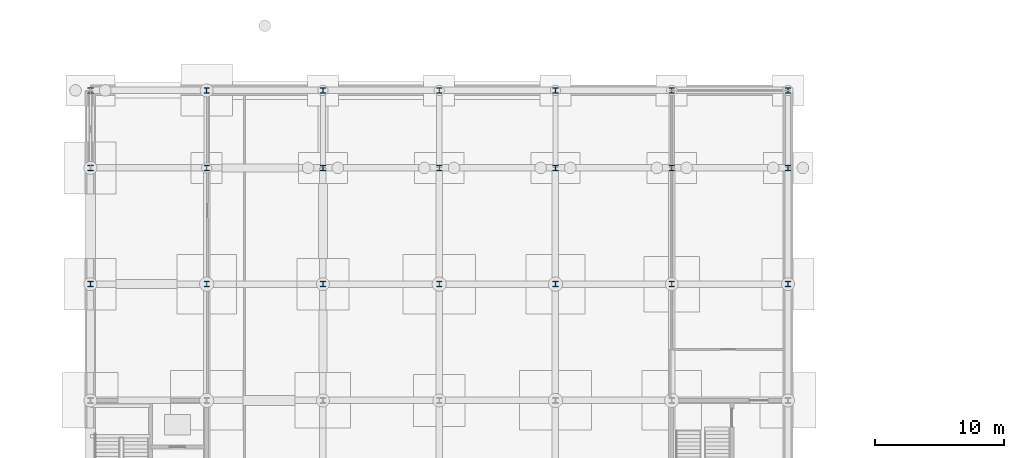
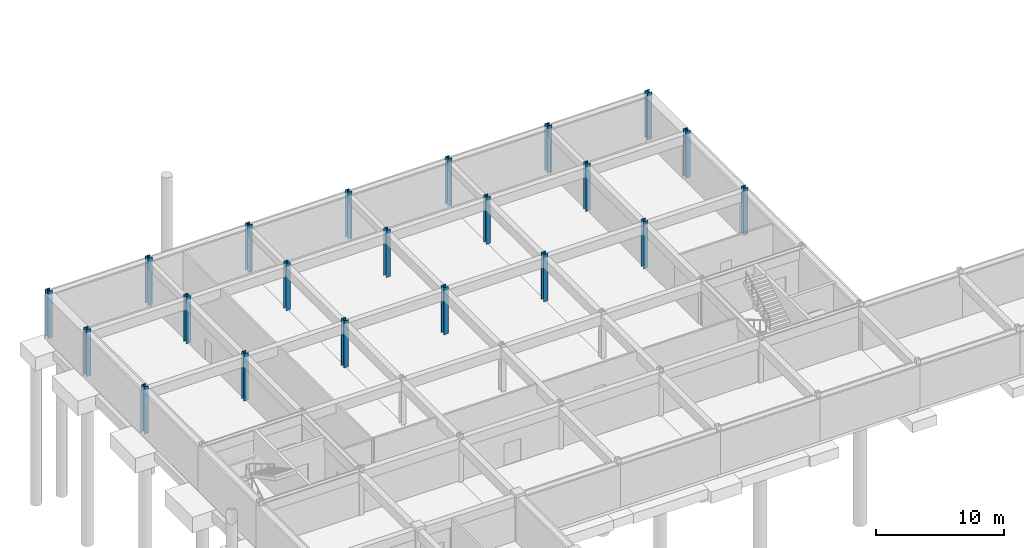
# One storey, part 11 of 41: 21 columns.
"""IFC4 building model written with IfcOpenShell, lengths in metres."""

import ifcopenshell
import ifcopenshell.guid

model = None  # the IFC model being written
_history = None  # IfcOwnerHistory: only IFC2X3 demands one
_inside = {}  # id of a spatial element -> (the spatial element, [elements in it])
_under = {}  # id of a project, library or spatial element -> (it, [spatial elements below it])
_declared = {}  # id of a project -> (the project, [libraries it declares])
_typed = {}  # id of a type object -> (the type object, [elements of that type])
_made_of = {}  # id of a material, layer set ... -> (it, [elements and type objects made of it])


def new_model(schema):
    """Start an empty IFC model of exactly this schema.

    Asked for "IFC4X3", IfcOpenShell would pick the latest addendum, in which some entities
    have other attributes; the version numbers below select the first issue.
    IFC2X3 requires an IfcOwnerHistory on every rooted entity: one is made here for all.
    """
    global model, _history
    if schema == "IFC4X3":
        model = ifcopenshell.file(schema_version=(4, 3, 0, 0))
    else:
        model = ifcopenshell.file(schema=schema)
    _inside.clear()
    _under.clear()
    _declared.clear()
    _typed.clear()
    _made_of.clear()
    _history = None
    if model.schema == "IFC2X3":
        org = make("IfcOrganization", Name="unknown")
        user = make(
            "IfcPersonAndOrganization",
            ThePerson=make("IfcPerson", FamilyName="unknown"),
            TheOrganization=org,
        )
        app = make(
            "IfcApplication",
            ApplicationDeveloper=org,
            Version="unknown",
            ApplicationFullName="unknown",
            ApplicationIdentifier="unknown",
        )
        _history = make(
            "IfcOwnerHistory",
            OwningUser=user,
            OwningApplication=app,
            ChangeAction="ADDED",
            CreationDate=0,
        )
    return model


def make(cls, **values):
    """One entity of the class cls with the attributes given. An attribute that is None is left unset."""
    return model.create_entity(
        cls, **{name: value for name, value in values.items() if value is not None}
    )


def rooted(cls, **values):
    """An entity with a GlobalId (a new one), such as an element, a storey or a relation."""
    return make(cls, GlobalId=ifcopenshell.guid.new(), OwnerHistory=_history, **values)


def si_unit(unit_type, name, prefix=None):
    """IfcSIUnit, for example si_unit("LENGTHUNIT", "METRE", prefix="MILLI")."""
    return make("IfcSIUnit", UnitType=unit_type, Prefix=prefix, Name=name)


def assignment(units):
    """IfcUnitAssignment: the units of a project."""
    return None if units is None else make("IfcUnitAssignment", Units=units)


def point(xyz):
    """IfcCartesianPoint."""
    return None if xyz is None else make("IfcCartesianPoint", Coordinates=xyz)


def direction(xyz):
    """IfcDirection."""
    return None if xyz is None else make("IfcDirection", DirectionRatios=xyz)


def frame(location, z_axis=None, x_axis=None):
    """IfcAxis2Placement3D, a coordinate frame: its origin and axes. An axis left out is left unset."""
    return make(
        "IfcAxis2Placement3D",
        Location=point(location),
        Axis=direction(z_axis),
        RefDirection=direction(x_axis),
    )


def frame_2d(location, x_axis=None):
    """IfcAxis2Placement2D, a coordinate frame in the plane: its origin and x axis."""
    return make(
        "IfcAxis2Placement2D", Location=point(location), RefDirection=direction(x_axis)
    )


def origin():
    """The frame at (0, 0, 0) with its axes left unset."""
    return frame((0.0, 0.0, 0.0))


def origin_2d():
    """The frame at (0, 0) in the plane with its x axis left unset."""
    return frame_2d((0.0, 0.0))


def place(relative_to, where):
    """IfcLocalPlacement: puts the frame where relative to a parent placement (None: the world)."""
    return make(
        "IfcLocalPlacement", PlacementRelTo=relative_to, RelativePlacement=where
    )


def context(
    kind, dimensions, precision=None, world=None, true_north=None, identifier=None
):
    """IfcGeometricRepresentationContext, for example the 3D "Model" context."""
    return make(
        "IfcGeometricRepresentationContext",
        ContextIdentifier=identifier,
        ContextType=kind,
        CoordinateSpaceDimension=dimensions,
        Precision=precision,
        WorldCoordinateSystem=world,
        TrueNorth=true_north,
    )


def subcontext(parent, identifier, kind, view, scale=None):
    """IfcGeometricRepresentationSubContext, for example "Body" below "Model"."""
    return make(
        "IfcGeometricRepresentationSubContext",
        ContextIdentifier=identifier,
        ContextType=kind,
        ParentContext=parent,
        TargetScale=scale,
        TargetView=view,
    )


def project(units=None, contexts=None):
    """IfcProject with its units and contexts."""
    return rooted(
        "IfcProject",
        Name="project",
        RepresentationContexts=contexts,
        UnitsInContext=assignment(units),
    )


def spatial(cls, under=None, at=None, **own):
    """A site, building, storey or space (cls), placed at a placement, below another one or the project."""
    s = rooted(cls, ObjectPlacement=at, **own)
    if under is not None:
        _under.setdefault(under.id(), (under, []))[1].append(s)
    return s


def profile(cls, at=None, kind="AREA", **sizes):
    """A parametric profile (cls). Its sizes go by their IFC names, for example OverallWidth=200.0."""
    return make(cls, ProfileType=kind, Position=at, **sizes)


def i_section(**sizes):
    """IfcIShapeProfileDef."""
    return profile("IfcIShapeProfileDef", **sizes)


def extrude(swept, where, along, depth):
    """IfcExtrudedAreaSolid: the profile swept, set in the frame where, extruded along a direction by depth."""
    return make(
        "IfcExtrudedAreaSolid",
        SweptArea=swept,
        Position=where,
        ExtrudedDirection=direction(along),
        Depth=depth,
    )


def shape(context_of_items, identifier, shape_type, items):
    """IfcShapeRepresentation: the items that make up one representation, for example the "Body"."""
    return make(
        "IfcShapeRepresentation",
        ContextOfItems=context_of_items,
        RepresentationIdentifier=identifier,
        RepresentationType=shape_type,
        Items=items,
    )


def material(Name=None, Category=None):
    """IfcMaterial."""
    return make("IfcMaterial", Name=Name, Category=Category)


def material_profile(
    of_material, cross_section, Name=None, Category=None, Priority=None
):
    """IfcMaterialProfile: a cross section and its material."""
    return make(
        "IfcMaterialProfile",
        Name=Name,
        Material=of_material,
        Profile=cross_section,
        Priority=Priority,
        Category=Category,
    )


def profile_set(profiles, Name=None, composite=None):
    """IfcMaterialProfileSet."""
    return make(
        "IfcMaterialProfileSet",
        Name=Name,
        MaterialProfiles=profiles,
        CompositeProfile=composite,
    )


def made_of(thing, what):
    """Note that an element or type object is made of a material, layer set ...; save() writes the relation."""
    if what is not None:
        _made_of.setdefault(what.id(), (what, []))[1].append(thing)
    return thing


def type_object(cls, material=None, **own):
    """A type object (cls), such as IfcWallType, which elements share."""
    return made_of(rooted(cls, **own), material)


def element(
    cls,
    number,
    at=None,
    inside=None,
    cuts=None,
    type_object=None,
    material=None,
    context=None,
    identifier="Body",
    shape_type=None,
    held_by="IfcProductDefinitionShape",
    body=None,
    shapes=None,
    **own,
):
    """One element of the class cls, such as IfcWall. Its Tag is "e" and its number.

    at: its placement. inside: the storey or other place that contains it. cuts: it is an
    opening in that element (IfcRelVoidsElement). A single representation is given by context,
    identifier, shape_type and body (its items); several are given by shapes. held_by: the class
    of the entity that holds the representations. save() writes the other relations.
    """
    e = rooted(cls, Tag="e%d" % number, ObjectPlacement=at, **own)
    if body is not None:
        shapes = [shape(context, identifier, shape_type, body)]
    if shapes is not None:
        e.Representation = make(held_by, Representations=shapes)
    if inside is not None:
        _inside.setdefault(inside.id(), (inside, []))[1].append(e)
    if cuts is not None:
        rooted(
            "IfcRelVoidsElement", RelatingBuildingElement=cuts, RelatedOpeningElement=e
        )
    if type_object is not None:
        _typed.setdefault(type_object.id(), (type_object, []))[1].append(e)
    return made_of(e, material)


def aggregate(whole, parts):
    """IfcRelAggregates: a whole, such as a stair, and the parts it consists of."""
    return rooted("IfcRelAggregates", RelatingObject=whole, RelatedObjects=parts)


def save(model, path):
    """Write the relations noted so far, then the file.

    IfcRelAggregates (storeys below a building ...), IfcRelContainedInSpatialStructure (elements
    in a storey), IfcRelDefinesByType, IfcRelAssociatesMaterial and IfcRelDeclares: one each for
    every whole, place, type object, material and project.
    """
    for whole, parts in _under.values():
        aggregate(whole, parts)
    for where, things in _inside.values():
        rooted(
            "IfcRelContainedInSpatialStructure",
            RelatedElements=things,
            RelatingStructure=where,
        )
    for kind, things in _typed.values():
        rooted("IfcRelDefinesByType", RelatedObjects=things, RelatingType=kind)
    for what, things in _made_of.values():
        rooted("IfcRelAssociatesMaterial", RelatedObjects=things, RelatingMaterial=what)
    for by, libraries in _declared.values():
        rooted("IfcRelDeclares", RelatingContext=by, RelatedDefinitions=libraries)
    model.write(path)


model = new_model("IFC4")

# Units and contexts
model_context = context("Model", 3, precision=1e-05, world=origin(), true_north=direction((0.0, 1.0)))
body_context = subcontext(model_context, "Body", "Model", "MODEL_VIEW")
ifc_project = project(units=[si_unit("LENGTHUNIT", "METRE"), si_unit("AREAUNIT", "SQUARE_METRE"), si_unit("VOLUMEUNIT", "CUBIC_METRE"), si_unit("PLANEANGLEUNIT", "RADIAN"), si_unit("MASSUNIT", "GRAM", prefix="KILO")], contexts=[model_context])

# Site, building, storey
site_placement = place(None, origin())
site = spatial("IfcSite", under=ifc_project, at=site_placement, CompositionType="ELEMENT")
building_placement = place(site_placement, origin())
building = spatial("IfcBuilding", under=site, at=building_placement, Name="Palais des Congres Ocreval", CompositionType="ELEMENT")
storey_placement = place(building_placement, frame((0.0, 0.0, -8.9599609375)))
storey = spatial("IfcBuildingStorey", under=building, at=storey_placement, Name="B2", CompositionType="ELEMENT", Elevation=-8.9599609375)

# Columns
ifc_material_1 = material(Name="Steel S355", Category="steel")
ifc_material_profile_1 = material_profile(ifc_material_1, i_section(OverallWidth=0.406005859375, OverallDepth=0.416015625, WebThickness=0.0224609375, FlangeThickness=0.0380859375, at=origin_2d()), Name="HD 400x382")
ifc_profile_set_1 = profile_set([ifc_material_profile_1], Name="Steel S355")
column_type_1 = type_object("IfcColumnType", Name="Column HD 400x382 Steel S355", PredefinedType="COLUMN", material=ifc_profile_set_1)
for number, where, z_axis, x_axis, name in (
    (1, (0.0, 99.0, 0.0), (0.0, 0.0, 1.0), (1.0, 0.0, 0.0), "Column C03 B2"),
    (2, (0.0, 108.0, 0.0), (0.0, 0.0, 1.0), (1.0, 0.0, 0.0), "Column C03 B2"),
    (3, (0.0, 114.0, 0.0), (0.0, 0.0, 1.0), (1.0, 0.0, 0.0), "Column C03 B2"),
    (4, (9.0, 99.0, 0.0), (0.0, 0.0, 1.0), (1.0, 0.0, 0.0), "Column C03 B2"),
    (5, (9.0, 108.0, 0.0), (0.0, 0.0, 1.0), (1.0, 0.0, 0.0), "Column C03 B2"),
    (6, (18.0, 99.0, 0.0), (0.0, 0.0, 1.0), (1.0, 0.0, 0.0), "Column C03 B2"),
    (7, (18.0, 108.0, 0.0), (0.0, 0.0, 1.0), (1.0, 0.0, 0.0), "Column C03 B2"),
    (8, (27.0, 99.0, 0.0), (0.0, 0.0, 1.0), (1.0, 0.0, 0.0), "Column C03 B2"),
    (9, (27.0, 108.0, 0.0), (0.0, 0.0, 1.0), (1.0, 0.0, 0.0), "Column C03 B2"),
    (10, (36.0, 99.0, 0.0), (0.0, 0.0, 1.0), (1.0, 0.0, 0.0), "Column C03 B2"),
    (11, (36.0, 108.0, 0.0), (0.0, 0.0, 1.0), (1.0, 0.0, 0.0), "Column C03 B2"),
    (12, (45.0, 99.0, 0.0), (0.0, 0.0, 1.0), (1.0, 0.0, 0.0), "Column C03 B2"),
    (13, (45.0, 108.0, 0.0), (0.0, 0.0, 1.0), (1.0, 0.0, 0.0), "Column C03 B2"),
    (14, (54.0, 99.0, 0.0), (0.0, 0.0, 1.0), (1.0, 0.0, 0.0), "Column C03 B2"),
    (15, (54.0, 108.0, 0.0), (0.0, 0.0, 1.0), (1.0, 0.0, 0.0), "Column C03 B2"),
    (16, (54.0, 114.0, 0.0), (0.0, 0.0, 1.0), (1.0, 0.0, 0.0), "Column C03 B2"),
):
    element("IfcColumn", number, at=place(storey_placement, frame(where, z_axis=z_axis, x_axis=x_axis)), inside=storey, type_object=column_type_1, Name=name, PredefinedType="COLUMN", context=body_context, shape_type="SweptSolid", body=[
        extrude(i_section(OverallWidth=0.406005859375, OverallDepth=0.416015625, WebThickness=0.0224609375, FlangeThickness=0.0380859375, at=origin_2d()), origin(), (0.0, 0.0, 1.0), 4.47998046875),
    ])
ifc_material_2 = material(Name="Steel S460", Category="steel")
ifc_material_profile_2 = material_profile(ifc_material_2, i_section(OverallWidth=0.412109375, OverallDepth=0.43505859375, WebThickness=0.027099609375, FlangeThickness=0.0458984375, at=origin_2d()), Name="HD 400x463")
ifc_profile_set_2 = profile_set([ifc_material_profile_2], Name="Steel S460")
column_type_2 = type_object("IfcColumnType", Name="Column HD 400x463 Steel S460", PredefinedType="COLUMN", material=ifc_profile_set_2)
for number, where, z_axis, x_axis, name in (
    (17, (9.0, 114.0, 0.0), (0.0, 0.0, 1.0), (1.0, 0.0, 0.0), "Column C02 B2"),
    (18, (18.0, 114.0, 0.0), (0.0, 0.0, 1.0), (1.0, 0.0, 0.0), "Column C02 B2"),
    (19, (27.0, 114.0, 0.0), (0.0, 0.0, 1.0), (1.0, 0.0, 0.0), "Column C02 B2"),
    (20, (36.0, 114.0, 0.0), (0.0, 0.0, 1.0), (1.0, 0.0, 0.0), "Column C02 B2"),
    (21, (45.0, 114.0, 0.0), (0.0, 0.0, 1.0), (1.0, 0.0, 0.0), "Column C02 B2"),
):
    element("IfcColumn", number, at=place(storey_placement, frame(where, z_axis=z_axis, x_axis=x_axis)), inside=storey, type_object=column_type_2, Name=name, PredefinedType="COLUMN", context=body_context, shape_type="SweptSolid", body=[
        extrude(i_section(OverallWidth=0.412109375, OverallDepth=0.43505859375, WebThickness=0.027099609375, FlangeThickness=0.0458984375, at=origin_2d()), origin(), (0.0, 0.0, 1.0), 4.47998046875),
    ])

save(model, "model.ifc")
